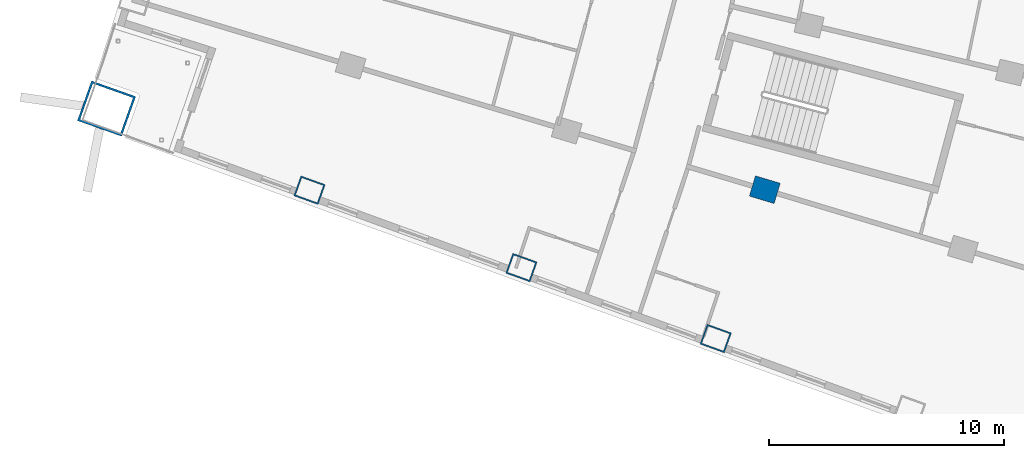
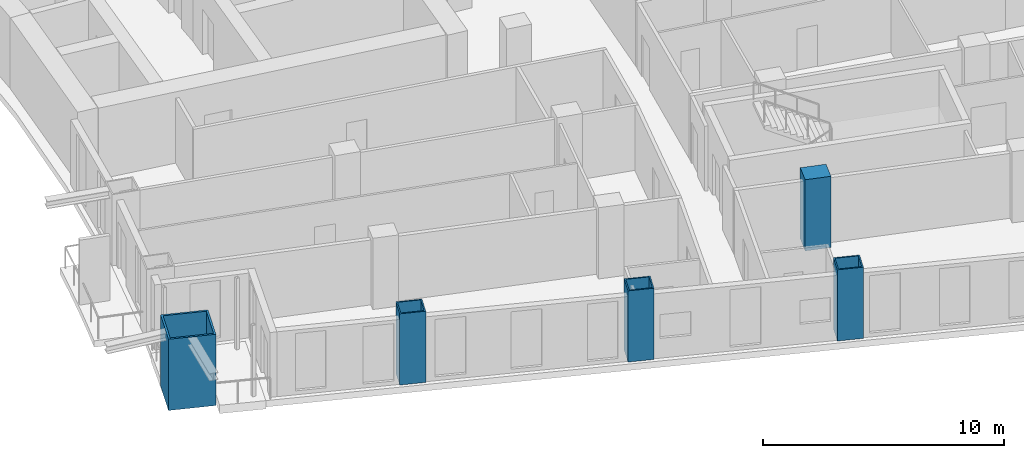
# One storey, part 1 of 23: 5 columns.
"""IFC4 building model written with IfcOpenShell, lengths in metres."""

from ifc_helpers import new_model, si_unit, direction, frame, origin, origin_2d, place, context, subcontext, project, spatial, rectangle, hollow_rectangle, extrude, material, material_profile, profile_set, type_object, element, save


model = new_model("IFC4")

# Units and contexts
model_context = context("Model", 3, precision=1e-05, world=origin(), true_north=direction((0.0, 1.0)))
body_context = subcontext(model_context, "Body", "Model", "MODEL_VIEW")
ifc_project = project(units=[si_unit("LENGTHUNIT", "METRE"), si_unit("AREAUNIT", "SQUARE_METRE"), si_unit("VOLUMEUNIT", "CUBIC_METRE"), si_unit("PLANEANGLEUNIT", "RADIAN"), si_unit("MASSUNIT", "GRAM", prefix="KILO")], contexts=[model_context])

# Site, building, storey
site_placement = place(None, origin())
site = spatial("IfcSite", under=ifc_project, at=site_placement, CompositionType="ELEMENT")
building_placement = place(site_placement, origin())
building = spatial("IfcBuilding", under=site, at=building_placement, Name="Alderwake Tower", CompositionType="ELEMENT")
storey_placement = place(building_placement, frame((0.0, 0.0, 71.60009765625)))
storey = spatial("IfcBuildingStorey", under=building, at=storey_placement, Name="L17", CompositionType="ELEMENT", Elevation=71.60009765625)

# Columns
ifc_material_1 = material(Name="Steel ASTM A572 Grade 50 concrete filled C70/85", Category="concrete")
ifc_material_profile_1 = material_profile(ifc_material_1, hollow_rectangle(XDim=0.89990234375, YDim=1.10009765625, WallThickness=0.06005859375, at=origin_2d()), Name="BOX 1100X900X60")
ifc_profile_set_1 = profile_set([ifc_material_profile_1], Name="Steel ASTM A572 Grade 50 concrete filled C70/85")
column_type_1 = type_object("IfcColumnType", Name="End column Z1", PredefinedType="COLUMN", material=ifc_profile_set_1)
for number, where, z_axis, x_axis, name in (
    (1, (19.965576171875, 25.1484375, 0.0), (0.0, 0.0, 1.0), (0.337584879279, 0.9412950915, 0.0), "Column R01-C1"),
    (2, (28.983642578125, 21.856689453125, 0.0), (0.0, 0.0, 1.0), (0.338026774049, 0.941136493834, 0.0), "Column R01-C2"),
    (3, (37.250244140625, 18.839111328125, 0.0), (0.0, 0.0, 1.0), (0.3383700535, 0.941013127907, 0.0), "Column R01-C3"),
):
    element("IfcColumn", number, at=place(storey_placement, frame(where, z_axis=z_axis, x_axis=x_axis)), inside=storey, type_object=column_type_1, Name=name, PredefinedType="COLUMN", context=body_context, shape_type="SweptSolid", body=[
        extrude(hollow_rectangle(XDim=0.89990234375, YDim=1.10009765625, WallThickness=0.06005859375, at=origin_2d()), origin(), (0.0, 0.0, 1.0), 3.599853515625),
    ])
ifc_material_2 = material(Name="Concrete C70/85", Category="concrete")
ifc_material_profile_2 = material_profile(ifc_material_2, rectangle(XDim=0.89990234375, YDim=1.10009765625, at=origin_2d()), Name="RC 1100X900")
ifc_profile_set_2 = profile_set([ifc_material_profile_2], Name="Concrete C70/85")
column_type_2 = type_object("IfcColumnType", Name="Interior column Z1", PredefinedType="COLUMN", material=ifc_profile_set_2)
column_1_placement = place(storey_placement, frame((39.337646484375, 25.17138671875, 0.0), z_axis=(0.0, 0.0, 1.0), x_axis=(0.287549418125, 0.957765802342, 0.0)))
element("IfcColumn", 4, at=column_1_placement, inside=storey, type_object=column_type_2, Name="Column R02-C3", PredefinedType="COLUMN", context=body_context, shape_type="SweptSolid", body=[
    extrude(rectangle(XDim=0.89990234375, YDim=1.10009765625, at=origin_2d()), origin(), (0.0, 0.0, 1.0), 3.599853515625),
])
ifc_material_3 = material(Name="Steel ASTM A572 Grade 50 concrete filled C70/85", Category="concrete")
ifc_material_profile_3 = material_profile(ifc_material_3, hollow_rectangle(XDim=1.800048828125, YDim=2.0, WallThickness=0.090087890625, at=origin_2d()), Name="BOX 2000X1800X90")
ifc_profile_set_3 = profile_set([ifc_material_profile_3], Name="Steel ASTM A572 Grade 50 concrete filled C70/85")
column_type_3 = type_object("IfcColumnType", Name="Mega column Z1", PredefinedType="COLUMN", material=ifc_profile_set_3)
column_2_placement = place(storey_placement, frame((11.330810546875, 28.622802734375, 0.0), z_axis=(0.0, 0.0, 1.0), x_axis=(0.334130947791, 0.942526662609, 0.0)))
element("IfcColumn", 5, at=column_2_placement, inside=storey, type_object=column_type_3, Name="Column R01-C0", PredefinedType="COLUMN", context=body_context, shape_type="SweptSolid", body=[
    extrude(hollow_rectangle(XDim=1.800048828125, YDim=2.0, WallThickness=0.090087890625, at=origin_2d()), origin(), (0.0, 0.0, 1.0), 3.599853515625),
])

save(model, "model.ifc")
